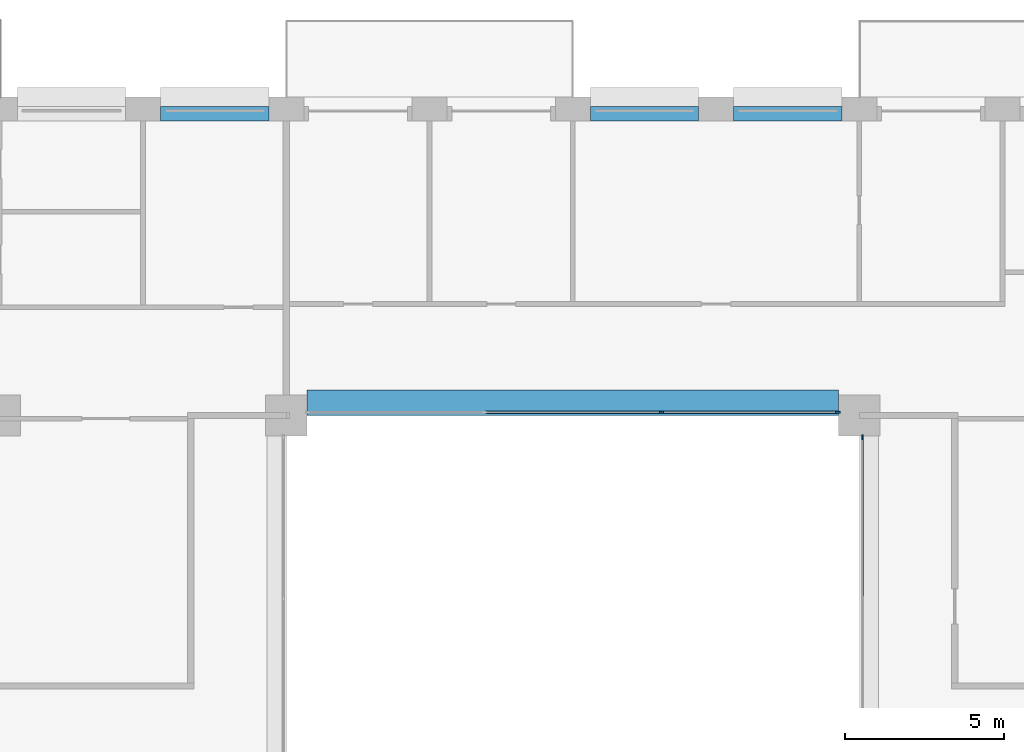
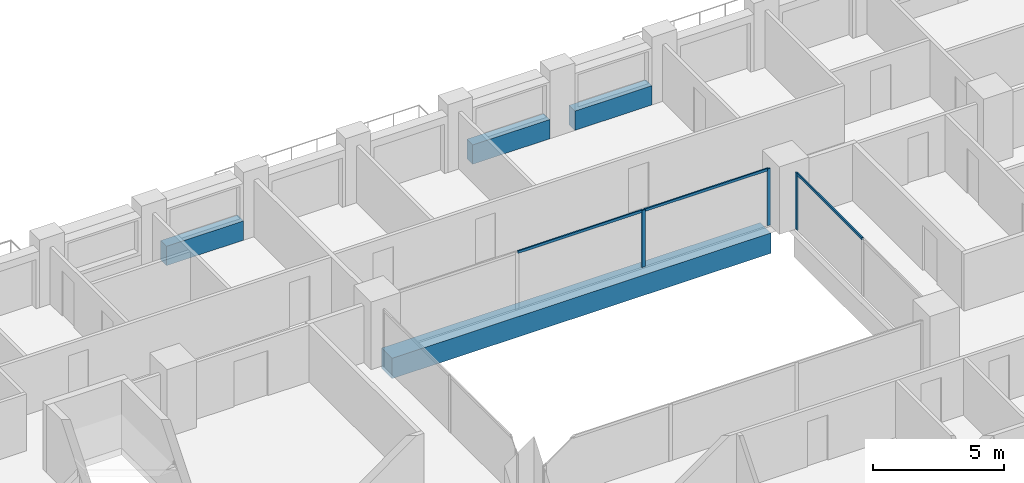
# One storey, part 6 of 17: 6 members, 4 beams, 2 elements without a shape of their own.
"""IFC4 building model written with IfcOpenShell, lengths in metres."""

from ifc_helpers import new_model, si_unit, direction, frame, origin, origin_2d, place, context, subcontext, project, spatial, rectangle, extrude, material, layer, layer_set, material_profile, profile_set, type_object, element, aggregate, save


model = new_model("IFC4")

# Units and contexts
model_context = context("Model", 3, precision=1e-05, world=origin(), true_north=direction((0.0, 1.0)))
body_context = subcontext(model_context, "Body", "Model", "MODEL_VIEW")
ifc_project = project(units=[si_unit("LENGTHUNIT", "METRE"), si_unit("AREAUNIT", "SQUARE_METRE"), si_unit("VOLUMEUNIT", "CUBIC_METRE"), si_unit("PLANEANGLEUNIT", "RADIAN"), si_unit("MASSUNIT", "GRAM", prefix="KILO")], contexts=[model_context])

# Site, building, storey
site_placement = place(None, origin())
site = spatial("IfcSite", under=ifc_project, at=site_placement, CompositionType="ELEMENT")
building_placement = place(site_placement, origin())
building = spatial("IfcBuilding", under=site, at=building_placement, Name="Brigalow Station Residences", CompositionType="ELEMENT")
storey_placement = place(building_placement, frame((0.0, 0.0, 127.64990234375)))
storey = spatial("IfcBuildingStorey", under=building, at=storey_placement, Name="L37", CompositionType="ELEMENT", Elevation=127.64990234375)

# Beam
ifc_material_1 = material(Name="Concrete C65", Category="concrete")
ifc_material_profile_1 = material_profile(ifc_material_1, rectangle(XDim=0.800048828125, YDim=0.949951171875, at=origin_2d()), Name="RC800x950")
ifc_profile_set_1 = profile_set([ifc_material_profile_1], Name="Concrete C65")
beam_type_1 = type_object("IfcBeamType", Name="ATRIUM EDGE GIRDER OVER 13.5 M SPAN 800x950 C65", PredefinedType="BEAM", material=ifc_profile_set_1)
beam_placement = place(storey_placement, frame((27.64990234375, 35.89990234375, -0.794921875), z_axis=(1.0, 0.0, 0.0), x_axis=(0.0, 1.0, 0.0)))
element("IfcBeam", 1, at=beam_placement, inside=storey, type_object=beam_type_1, Name="ATRIUM EDGE GIRDER D L37", PredefinedType="BEAM", context=body_context, shape_type="SweptSolid", body=[
    extrude(rectangle(XDim=0.800048828125, YDim=0.949951171875, at=origin_2d()), origin(), (0.0, 0.0, 1.0), 16.7001953125),
])

# Curtain wall, member
ifc_material_2 = material(Name="Aluminium", Category="aluminium")
ifc_layer = layer(ifc_material_2, 0.14990234375)
ifc_layer_set = layer_set([ifc_layer], Name="ATRIUM FIRE-RATED GLAZING CURTAIN WALL")
curtain_wall_type = type_object("IfcCurtainWallType", Name="ATRIUM FIRE-RATED GLAZING CURTAIN WALL", PredefinedType="NOTDEFINED", material=ifc_layer_set)
curtain_wall_1_placement = place(storey_placement, origin())
curtain_wall_1 = element("IfcCurtainWall", 2, at=curtain_wall_1_placement, inside=storey, type_object=curtain_wall_type, Name="L37/cw/atrium-E", PredefinedType="NOTDEFINED")
ifc_material_3 = material(Name="Aluminium", Category="aluminium")
ifc_material_profile_2 = material_profile(ifc_material_3, rectangle(XDim=0.06005859375, YDim=0.14990234375, at=origin_2d()), Name="ATRIUM FIRE-RATED GLAZING MULLION 60x150")
ifc_profile_set_2 = profile_set([ifc_material_profile_2], Name="Aluminium")
member_type_1 = type_object("IfcMemberType", Name="ATRIUM FIRE-RATED GLAZING MULLION 60x150", PredefinedType="MULLION", material=ifc_profile_set_2)
member_1_placement = place(storey_placement, frame((45.10009765625, 34.820068359375, 0.0), z_axis=(0.0, 0.0, 1.0), x_axis=(-1.0, 0.0, 0.0)))
member_1 = element("IfcMember", 3, at=member_1_placement, type_object=member_type_1, Name="L37/cw/atrium-E/M02", PredefinedType="MULLION", context=body_context, shape_type="SweptSolid", body=[
    extrude(rectangle(XDim=0.06005859375, YDim=0.14990234375, at=origin_2d()), origin(), (0.0, 0.0, 1.0), 2.650146484375),
])

# Curtain wall, members
curtain_wall_2_placement = place(storey_placement, origin())
curtain_wall_2 = element("IfcCurtainWall", 4, at=curtain_wall_2_placement, inside=storey, type_object=curtain_wall_type, Name="L37/cw/atrium-N", PredefinedType="NOTDEFINED")
member_2_placement = place(storey_placement, frame((44.320068359375, 35.60009765625, 0.0), z_axis=(0.0, 0.0, 1.0), x_axis=(0.0, -1.0, 0.0)))
member_2 = element("IfcMember", 5, at=member_2_placement, type_object=member_type_1, Name="L37/cw/atrium-N/M00", PredefinedType="MULLION", context=body_context, shape_type="SweptSolid", body=[
    extrude(rectangle(XDim=0.06005859375, YDim=0.14990234375, at=origin_2d()), origin(), (0.0, 0.0, 1.0), 2.650146484375),
])
member_3_placement = place(storey_placement, frame((38.783203125, 35.60009765625, 0.0), z_axis=(0.0, 0.0, 1.0), x_axis=(0.0, -1.0, 0.0)))
member_3 = element("IfcMember", 6, at=member_3_placement, type_object=member_type_1, Name="L37/cw/atrium-N/M01", PredefinedType="MULLION", context=body_context, shape_type="SweptSolid", body=[
    extrude(rectangle(XDim=0.06005859375, YDim=0.14990234375, at=origin_2d()), origin(), (0.0, 0.0, 1.0), 2.650146484375),
])

# Member
ifc_material_4 = material(Name="Aluminium", Category="aluminium")
ifc_material_profile_3 = material_profile(ifc_material_4, rectangle(XDim=0.06005859375, YDim=0.1201171875, at=origin_2d()), Name="ATRIUM FIRE-RATED GLAZING TRANSOM 60x120")
ifc_profile_set_3 = profile_set([ifc_material_profile_3], Name="Aluminium")
member_type_2 = type_object("IfcMemberType", Name="ATRIUM FIRE-RATED GLAZING TRANSOM 60x120", PredefinedType="USERDEFINED", material=ifc_profile_set_3)
member_4_placement = place(storey_placement, frame((45.10009765625, 29.780029296875, 2.6201171875), z_axis=(0.0, 1.0, 0.0), x_axis=(-1.0, 0.0, 0.0)))
member_4 = element("IfcMember", 7, at=member_4_placement, type_object=member_type_2, Name="L37/cw/atrium-E/T01-00", ObjectType="TRANSOM", PredefinedType="USERDEFINED", context=body_context, shape_type="SweptSolid", body=[
    extrude(rectangle(XDim=0.06005859375, YDim=0.1201171875, at=origin_2d()), origin(), (0.0, 0.0, 1.0), 5.010009765625),
])

aggregate(curtain_wall_1, [member_1, member_4])

member_5_placement = place(storey_placement, frame((44.2900390625, 35.60009765625, 2.6201171875), z_axis=(-1.0, 0.0, 0.0), x_axis=(0.0, -1.0, 0.0)))
member_5 = element("IfcMember", 8, at=member_5_placement, type_object=member_type_2, Name="L37/cw/atrium-N/T00-00", ObjectType="TRANSOM", PredefinedType="USERDEFINED", context=body_context, shape_type="SweptSolid", body=[
    extrude(rectangle(XDim=0.06005859375, YDim=0.1201171875, at=origin_2d()), origin(), (0.0, 0.0, 1.0), 5.476806640625),
])

member_6_placement = place(storey_placement, frame((38.75341796875, 35.60009765625, 2.6201171875), z_axis=(-1.0, 0.0, 0.0), x_axis=(0.0, -1.0, 0.0)))
member_6 = element("IfcMember", 9, at=member_6_placement, type_object=member_type_2, Name="L37/cw/atrium-N/T01-00", ObjectType="TRANSOM", PredefinedType="USERDEFINED", context=body_context, shape_type="SweptSolid", body=[
    extrude(rectangle(XDim=0.06005859375, YDim=0.1201171875, at=origin_2d()), origin(), (0.0, 0.0, 1.0), 5.5068359375),
])

aggregate(curtain_wall_2, [member_2, member_3, member_5, member_6])

# Beams
ifc_material_5 = material(Name="Concrete C65", Category="concrete")
ifc_material_profile_4 = material_profile(ifc_material_5, rectangle(XDim=0.449951171875, YDim=0.89990234375, at=origin_2d()), Name="RC450x900")
ifc_profile_set_4 = profile_set([ifc_material_profile_4], Name="Concrete C65")
beam_type_2 = type_object("IfcBeamType", Name="SPANDREL BEAM 450x900 C65", PredefinedType="SPANDREL", material=ifc_profile_set_4)
for number, where, z_axis, x_axis, name in (
    (10, (44.449951171875, 44.97509765625, 0.4501953125), (-1.0, 0.0, 0.0), (0.0, -1.0, 0.0), "L37/spandrel/W-L37-29"),
    (11, (39.949951171875, 44.97509765625, 0.4501953125), (-1.0, 0.0, 0.0), (0.0, -1.0, 0.0), "L37/spandrel/W-L37-30"),
    (12, (26.449951171875, 44.97509765625, 0.4501953125), (-1.0, 0.0, 0.0), (0.0, -1.0, 0.0), "L37/spandrel/W-L37-33"),
):
    element("IfcBeam", number, at=place(storey_placement, frame(where, z_axis=z_axis, x_axis=x_axis)), inside=storey, type_object=beam_type_2, Name=name, PredefinedType="SPANDREL", context=body_context, shape_type="SweptSolid", body=[
        extrude(rectangle(XDim=0.449951171875, YDim=0.89990234375, at=origin_2d()), origin(), (0.0, 0.0, 1.0), 3.39990234375),
    ])

save(model, "model.ifc")
